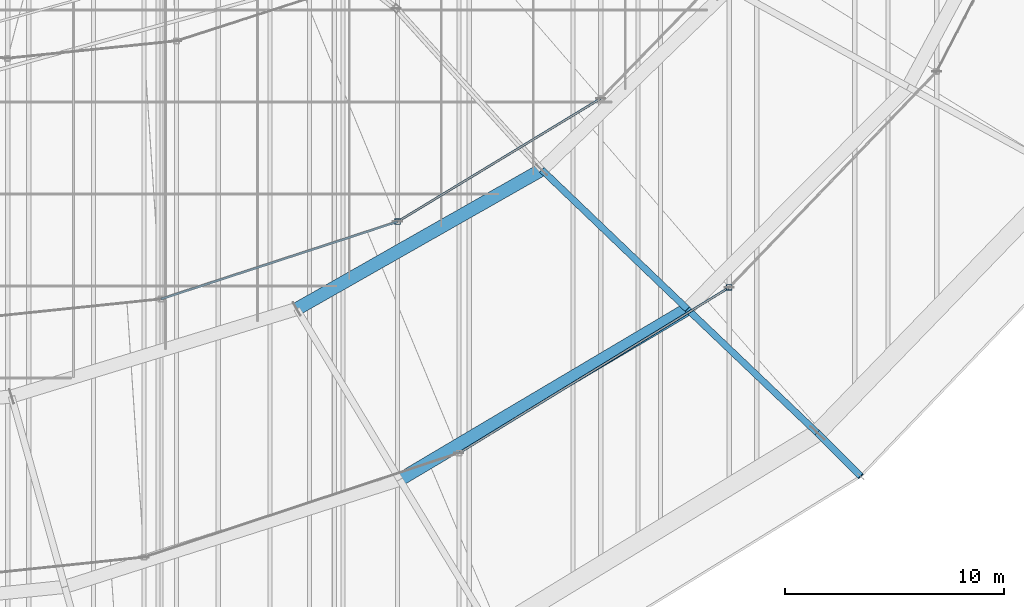
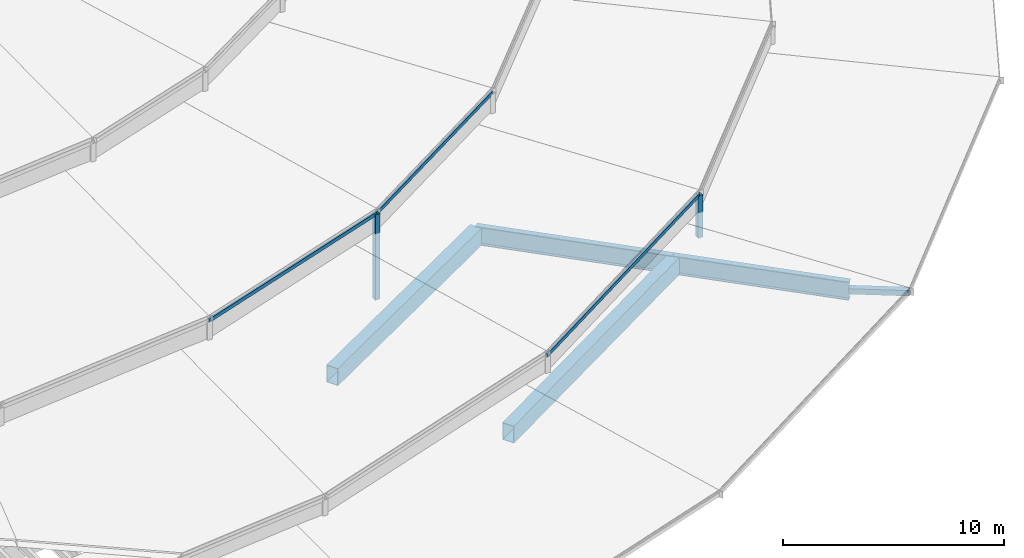
# One storey, part 40 of 184: 6 members, 4 beams.
"""IFC4 building model written with IfcOpenShell, lengths in metres."""

from ifc_helpers import new_model, si_unit, direction, frame, origin, origin_2d, place, context, subcontext, project, spatial, hollow_rectangle, i_section, extrude, material, material_profile, profile_set, type_object, element, save


model = new_model("IFC4")

# Units and contexts
model_context = context("Model", 3, precision=1e-05, world=origin(), true_north=direction((0.0, 1.0)))
body_context = subcontext(model_context, "Body", "Model", "MODEL_VIEW")
ifc_project = project(units=[si_unit("LENGTHUNIT", "METRE"), si_unit("AREAUNIT", "SQUARE_METRE"), si_unit("VOLUMEUNIT", "CUBIC_METRE"), si_unit("PLANEANGLEUNIT", "RADIAN"), si_unit("MASSUNIT", "GRAM", prefix="KILO")], contexts=[model_context])

# Site, building, storey
site_placement = place(None, origin())
site = spatial("IfcSite", under=ifc_project, at=site_placement, CompositionType="ELEMENT")
building_placement = place(site_placement, origin())
building = spatial("IfcBuilding", under=site, at=building_placement, Name="Kalgoora Escarpment Arena", CompositionType="ELEMENT")
storey_placement = place(building_placement, frame((0.0, 0.0, 27.60009765625)))
storey = spatial("IfcBuildingStorey", under=building, at=storey_placement, Name="Roof Level", CompositionType="ELEMENT", Elevation=27.60009765625)

# Beams
ifc_material_1 = material(Name="Structural steel Grade 350 (350 MPa)", Category="steel")
ifc_material_profile_1 = material_profile(ifc_material_1, hollow_rectangle(XDim=0.60009765625, YDim=0.949951171875, WallThickness=0.02490234375, at=origin_2d()))
ifc_profile_set_1 = profile_set([ifc_material_profile_1], Name="Structural steel Grade 350 (350 MPa)")
beam_type_1 = type_object("IfcBeamType", Name="BM-RING-BOX950", PredefinedType="USERDEFINED", material=ifc_profile_set_1)
beam_1_placement = place(storey_placement, frame((124.10009765625, 21.564697265625, -1.35009765625), z_axis=(0.860118993826, 0.51009343895, 0.0), x_axis=(-0.51009343895, 0.860118993826, 0.0)))
element("IfcBeam", 1, at=beam_1_placement, inside=storey, type_object=beam_type_1, Name="Concourse roof RING BEAM chord 21", ObjectType="GIRDER", PredefinedType="USERDEFINED", context=body_context, shape_type="SweptSolid", body=[
    extrude(hollow_rectangle(XDim=0.60009765625, YDim=0.949951171875, WallThickness=0.02490234375, at=origin_2d()), origin(), (0.0, 0.0, 1.0), 15.26611328125),
])
beam_2_placement = place(storey_placement, frame((119.39990234375, 29.35888671875, -1.25), z_axis=(0.869373733104, 0.494155149917, 0.0), x_axis=(-0.494155149917, 0.869373733104, 0.0)))
element("IfcBeam", 2, at=beam_2_placement, inside=storey, type_object=beam_type_1, Name="Bowl compression RING BEAM chord 21", ObjectType="GIRDER", PredefinedType="USERDEFINED", context=body_context, shape_type="SweptSolid", body=[
    extrude(hollow_rectangle(XDim=0.60009765625, YDim=0.949951171875, WallThickness=0.02490234375, at=origin_2d()), origin(), (0.0, 0.0, 1.0), 12.8642578125),
])
ifc_material_2 = material(Name="Structural steel Grade 350 (350 MPa)", Category="steel")
ifc_material_profile_2 = material_profile(ifc_material_2, i_section(OverallWidth=0.300048828125, OverallDepth=1.010009765625, WebThickness=0.01611328125, FlangeThickness=0.030029296875, at=origin_2d()))
ifc_profile_set_2 = profile_set([ifc_material_profile_2], Name="Structural steel Grade 350 (350 MPa)")
beam_type_2 = type_object("IfcBeamType", Name="BM-TRUSS-CHORD", PredefinedType="USERDEFINED", material=ifc_profile_set_2)
beam_3_placement = place(storey_placement, frame((143.17041015625, 23.69482421875, -1.400146484375), z_axis=(-0.724076232267, 0.689612001228, 0.012202361594), x_axis=(-0.689663347757, -0.724130144905, 0.0)))
element("IfcBeam", 3, at=beam_3_placement, inside=storey, type_object=beam_type_2, Name="Outer radial petal support girder R22", ObjectType="GIRDER", PredefinedType="USERDEFINED", context=body_context, shape_type="SweptSolid", body=[
    extrude(i_section(OverallWidth=0.300048828125, OverallDepth=1.010009765625, WebThickness=0.01611328125, FlangeThickness=0.030029296875, at=origin_2d()), origin(), (0.0, 0.0, 1.0), 8.203125),
])
beam_4_placement = place(storey_placement, frame((137.230712890625, 29.351806640625, -1.300048828125), z_axis=(-0.722271412013, 0.691524605045, 0.01085025371), x_axis=(-0.691565314546, -0.722313931554, 0.0)))
element("IfcBeam", 4, at=beam_4_placement, inside=storey, type_object=beam_type_2, Name="Inner radial petal support girder R22", ObjectType="GIRDER", PredefinedType="USERDEFINED", context=body_context, shape_type="SweptSolid", body=[
    extrude(i_section(OverallWidth=0.300048828125, OverallDepth=1.010009765625, WebThickness=0.01611328125, FlangeThickness=0.030029296875, at=origin_2d()), origin(), (0.0, 0.0, 1.0), 9.202880859375),
])

# Members
ifc_material_3 = material(Name="Structural steel C450 (450 MPa)", Category="steel")
ifc_material_profile_3 = material_profile(ifc_material_3, hollow_rectangle(XDim=0.25, YDim=0.25, WallThickness=0.012451171875, at=origin_2d()))
ifc_profile_set_3 = profile_set([ifc_material_profile_3], Name="Structural steel C450 (450 MPa)")
member_type_1 = type_object("IfcMemberType", Name="MEM-PETAL-POST", PredefinedType="POST", material=ifc_profile_set_3)
member_1_placement = place(storey_placement, frame((139.1435546875, 30.341796875, -1.080078125), z_axis=(0.0, 0.0, 1.0), x_axis=(1.0, 0.0, 0.0)))
element("IfcMember", 5, at=member_1_placement, inside=storey, type_object=member_type_1, Name="Petal RP2 vertical support post S22", PredefinedType="POST", context=body_context, shape_type="SweptSolid", body=[
    extrude(hollow_rectangle(XDim=0.25, YDim=0.25, WallThickness=0.012451171875, at=origin_2d()), origin(), (0.0, 0.0, 1.0), 2.344970703125),
])
member_2_placement = place(storey_placement, frame((124.0, 33.3427734375, -1.02001953125), z_axis=(0.0, 0.0, 1.0), x_axis=(1.0, 0.0, 0.0)))
element("IfcMember", 6, at=member_2_placement, inside=storey, type_object=member_type_1, Name="Petal RP3 vertical support post S21", PredefinedType="POST", context=body_context, shape_type="SweptSolid", body=[
    extrude(hollow_rectangle(XDim=0.25, YDim=0.25, WallThickness=0.012451171875, at=origin_2d()), origin(), (0.0, 0.0, 1.0), 4.724853515625),
])
ifc_material_4 = material(Name="Structural steel C350 (350 MPa)", Category="steel")
ifc_material_profile_4 = material_profile(ifc_material_4, hollow_rectangle(XDim=0.10009765625, YDim=0.199951171875, WallThickness=0.009033203125, at=origin_2d()))
ifc_profile_set_4 = profile_set([ifc_material_profile_4], Name="Structural steel C350 (350 MPa)")
member_type_2 = type_object("IfcMemberType", Name="MEM-PURLIN-RHS", PredefinedType="PURLIN", material=ifc_profile_set_4)
member_3_placement = place(storey_placement, frame((126.800048828125, 22.777099609375, 1.244873046875), z_axis=(0.852622095619, 0.522528049067, 0.0), x_axis=(-0.522528049067, 0.852622095619, 0.0)))
element("IfcMember", 7, at=member_3_placement, inside=storey, type_object=member_type_2, Name="Petal RP2 eave support ring purlin S21", PredefinedType="PURLIN", context=body_context, shape_type="SweptSolid", body=[
    extrude(hollow_rectangle(XDim=0.10009765625, YDim=0.199951171875, WallThickness=0.009033203125, at=origin_2d()), origin(), (0.0, 0.0, 1.0), 14.47705078125),
])
member_4_placement = place(storey_placement, frame((113.195068359375, 29.80615234375, 3.684814453125), z_axis=(0.950385124824, 0.311075737583, 0.0), x_axis=(-0.311075737583, 0.950385124824, 0.0)))
element("IfcMember", 8, at=member_4_placement, inside=storey, type_object=member_type_2, Name="Petal RP3 eave support ring purlin S20", PredefinedType="PURLIN", context=body_context, shape_type="SweptSolid", body=[
    extrude(hollow_rectangle(XDim=0.10009765625, YDim=0.199951171875, WallThickness=0.009033203125, at=origin_2d()), origin(), (0.0, 0.0, 1.0), 11.368896484375),
])
member_5_placement = place(storey_placement, frame((124.0, 33.3427734375, 3.684814453125), z_axis=(0.855095362894, 0.518470751689, 0.0), x_axis=(-0.518470751689, 0.855095362894, 0.0)))
element("IfcMember", 9, at=member_5_placement, inside=storey, type_object=member_type_2, Name="Petal RP3 eave support ring purlin S21", PredefinedType="PURLIN", context=body_context, shape_type="SweptSolid", body=[
    extrude(hollow_rectangle(XDim=0.10009765625, YDim=0.199951171875, WallThickness=0.009033203125, at=origin_2d()), origin(), (0.0, 0.0, 1.0), 10.8505859375),
])
ifc_material_5 = material(Name="Structural steel C450 (450 MPa)", Category="steel")
ifc_material_profile_5 = material_profile(ifc_material_5, hollow_rectangle(XDim=0.300048828125, YDim=0.300048828125, WallThickness=0.012451171875, at=origin_2d()))
ifc_profile_set_5 = profile_set([ifc_material_profile_5], Name="Structural steel C450 (450 MPa)")
member_type_3 = type_object("IfcMemberType", Name="MEM-TRUSS-POST", PredefinedType="POST", material=ifc_profile_set_5)
member_6_placement = place(storey_placement, frame((143.17041015625, 23.69482421875, -1.400146484375), z_axis=(0.699993721034, -0.699993721034, 0.141483500897), x_axis=(0.707106781187, 0.707106781187, 0.0)))
element("IfcMember", 10, at=member_6_placement, inside=storey, type_object=member_type_3, Name="Petal RP1 eave strut S22", PredefinedType="POST", context=body_context, shape_type="SweptSolid", body=[
    extrude(hollow_rectangle(XDim=0.300048828125, YDim=0.300048828125, WallThickness=0.012451171875, at=origin_2d()), origin(), (0.0, 0.0, 1.0), 2.828125),
])

save(model, "model.ifc")
